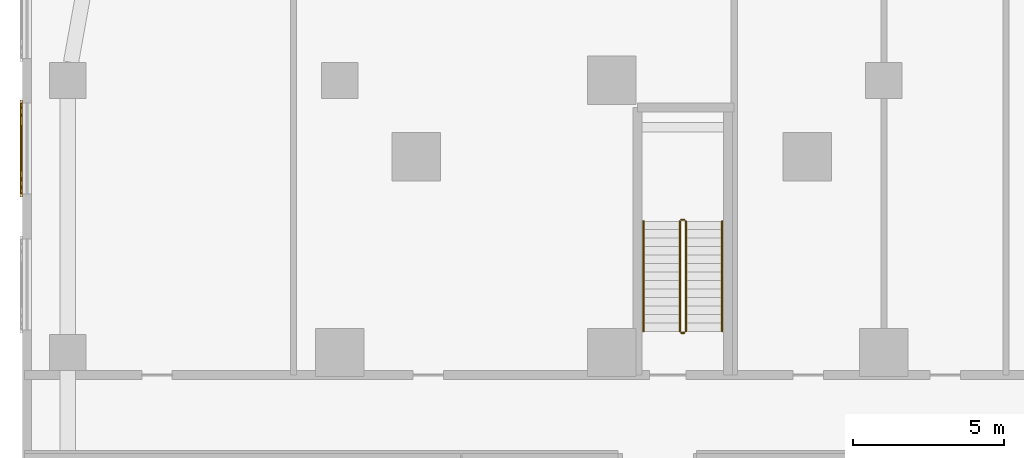
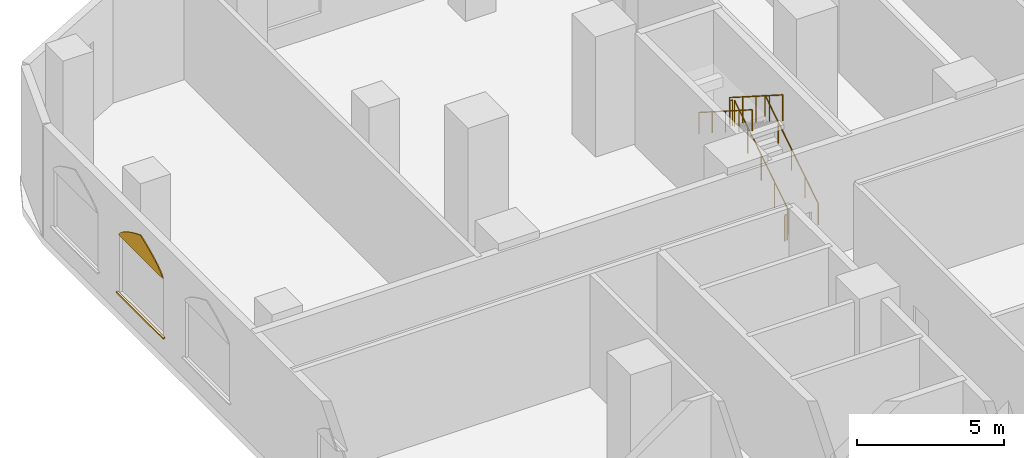
# One storey, part 24 of 31: 6 railings, 2 coverings.
"""IFC4 building model written with IfcOpenShell, lengths in metres."""

from ifc_helpers import new_model, si_unit, direction, frame, origin, origin_2d, place, context, subcontext, project, spatial, polyline, rectangle, circle, outline, extrude, material, layer, layer_set, type_object, element, save


model = new_model("IFC4")

# Units and contexts
model_context = context("Model", 3, precision=1e-05, world=origin(), true_north=direction((0.0, 1.0)))
body_context = subcontext(model_context, "Body", "Model", "MODEL_VIEW")
ifc_project = project(units=[si_unit("LENGTHUNIT", "METRE"), si_unit("AREAUNIT", "SQUARE_METRE"), si_unit("VOLUMEUNIT", "CUBIC_METRE"), si_unit("PLANEANGLEUNIT", "RADIAN"), si_unit("MASSUNIT", "GRAM", prefix="KILO")], contexts=[model_context])

# Site, building, storey
site_placement = place(None, origin())
site = spatial("IfcSite", under=ifc_project, at=site_placement, CompositionType="ELEMENT")
building_placement = place(site_placement, origin())
building = spatial("IfcBuilding", under=site, at=building_placement, Name="Ogive Portal Towers", CompositionType="ELEMENT")
storey_placement = place(building_placement, frame((0.0, 0.0, 13.5)))
storey = spatial("IfcBuildingStorey", under=building, at=storey_placement, Name="L02", CompositionType="ELEMENT", Elevation=13.5)

# Railings
ifc_material_1 = material(Name="Stainless steel balustrade", Category="steel")
railing_type_1 = type_object("IfcRailingType", Name="INT-GUARD", PredefinedType="GUARDRAIL", material=ifc_material_1)
railing_1_placement = place(storey_placement, frame((42.949951171875, 67.199951171875, 0.178466796875)))
element("IfcRailing", 1, at=railing_1_placement, inside=storey, type_object=railing_type_1, Name="L02 ST-A3 stair guard 1", PredefinedType="GUARDRAIL", context=body_context, shape_type="SweptSolid", body=[
    extrude(circle(Radius=0.02392578125, at=origin_2d()), frame((0.0, 0.0, 1.076171875), z_axis=(0.0, 0.843127859045, 0.537713132908), x_axis=(-1.0, 0.0, 0.0)), (0.0, 0.0, 1.0), 4.3173828125),
    extrude(circle(Radius=0.02099609375, at=origin_2d()), origin(), (0.0, 0.0, 1.0), 1.052001953125),
    extrude(circle(Radius=0.02099609375, at=origin_2d()), frame((0.0, 0.91015625, 0.580322265625)), (0.0, 0.0, 1.0), 1.052001953125),
    extrude(circle(Radius=0.02099609375, at=origin_2d()), frame((0.0, 1.820068359375, 1.16064453125)), (0.0, 0.0, 1.0), 1.052001953125),
    extrude(circle(Radius=0.02099609375, at=origin_2d()), frame((0.0, 2.72998046875, 1.7412109375)), (0.0, 0.0, 1.0), 1.052001953125),
    extrude(circle(Radius=0.02099609375, at=origin_2d()), frame((0.0, 3.64013671875, 2.321533203125)), (0.0, 0.0, 1.0), 1.052001953125),
])
railing_2_placement = place(storey_placement, frame((42.89990234375, 70.889892578125, 2.5)))
element("IfcRailing", 2, at=railing_2_placement, inside=storey, type_object=railing_type_1, Name="L02 ST-A3 stair guard 2", PredefinedType="GUARDRAIL", context=body_context, shape_type="SweptSolid", body=[
    extrude(circle(Radius=0.02392578125, at=origin_2d()), frame((0.0, 0.0, 1.076171875), z_axis=(-1.0, 0.0, 0.0), x_axis=(0.0, -1.0, 0.0)), (0.0, 0.0, 1.0), 0.099853515625),
    extrude(circle(Radius=0.02099609375, at=origin_2d()), origin(), (0.0, 0.0, 1.0), 1.052001953125),
    extrude(circle(Radius=0.02099609375, at=origin_2d()), frame((-0.099853515625, 0.0, 0.0)), (0.0, 0.0, 1.0), 1.052001953125),
])
railing_3_placement = place(storey_placement, frame((42.75, 70.840087890625, 2.678466796875)))
element("IfcRailing", 3, at=railing_3_placement, inside=storey, type_object=railing_type_1, Name="L02 ST-A3 stair guard 3", PredefinedType="GUARDRAIL", context=body_context, shape_type="SweptSolid", body=[
    extrude(circle(Radius=0.02392578125, at=origin_2d()), frame((0.0, 0.0, 1.076171875), z_axis=(0.0, -0.843127859045, 0.537713132908), x_axis=(1.0, 0.0, 0.0)), (0.0, 0.0, 1.0), 4.3173828125),
    extrude(circle(Radius=0.02099609375, at=origin_2d()), origin(), (0.0, 0.0, 1.0), 1.052001953125),
    extrude(circle(Radius=0.02099609375, at=origin_2d()), frame((0.0, -0.91015625, 0.580322265625)), (0.0, 0.0, 1.0), 1.052001953125),
    extrude(circle(Radius=0.02099609375, at=origin_2d()), frame((0.0, -1.820068359375, 1.16064453125)), (0.0, 0.0, 1.0), 1.052001953125),
    extrude(circle(Radius=0.02099609375, at=origin_2d()), frame((0.0, -2.72998046875, 1.7412109375)), (0.0, 0.0, 1.0), 1.052001953125),
    extrude(circle(Radius=0.02099609375, at=origin_2d()), frame((0.0, -3.64013671875, 2.321533203125)), (0.0, 0.0, 1.0), 1.052001953125),
])
railing_4_placement = place(storey_placement, frame((42.89990234375, 67.14990234375, 0.0)))
element("IfcRailing", 4, at=railing_4_placement, inside=storey, type_object=railing_type_1, Name="L02 ST-A3 stair guard 4", PredefinedType="GUARDRAIL", context=body_context, shape_type="SweptSolid", body=[
    extrude(circle(Radius=0.02392578125, at=origin_2d()), frame((0.0, 0.0, 1.076171875), z_axis=(-1.0, 0.0, 0.0), x_axis=(0.0, -1.0, 0.0)), (0.0, 0.0, 1.0), 0.099853515625),
    extrude(circle(Radius=0.02099609375, at=origin_2d()), origin(), (0.0, 0.0, 1.0), 1.052001953125),
    extrude(circle(Radius=0.02099609375, at=origin_2d()), frame((-0.099853515625, 0.0, 0.0)), (0.0, 0.0, 1.0), 1.052001953125),
])
ifc_material_2 = material(Name="Stainless steel handrail", Category="steel")
railing_type_2 = type_object("IfcRailingType", Name="INT-HANDRAIL", PredefinedType="HANDRAIL", material=ifc_material_2)
railing_5_placement = place(storey_placement, frame((44.14990234375, 67.199951171875, 0.178466796875)))
element("IfcRailing", 5, at=railing_5_placement, inside=storey, type_object=railing_type_2, Name="L02 ST-A3 stair handrail 1", PredefinedType="HANDRAIL", context=body_context, shape_type="SweptSolid", body=[
    extrude(circle(Radius=0.02392578125, at=origin_2d()), frame((0.0, 0.0, 0.8759765625), z_axis=(0.0, 0.843127859045, 0.537713132908), x_axis=(-1.0, 0.0, 0.0)), (0.0, 0.0, 1.0), 4.3173828125),
    extrude(circle(Radius=0.02099609375, at=origin_2d()), origin(), (0.0, 0.0, 1.0), 0.851806640625),
    extrude(circle(Radius=0.02099609375, at=origin_2d()), frame((0.0, 0.91015625, 0.580322265625)), (0.0, 0.0, 1.0), 0.851806640625),
    extrude(circle(Radius=0.02099609375, at=origin_2d()), frame((0.0, 1.820068359375, 1.16064453125)), (0.0, 0.0, 1.0), 0.851806640625),
    extrude(circle(Radius=0.02099609375, at=origin_2d()), frame((0.0, 2.72998046875, 1.7412109375)), (0.0, 0.0, 1.0), 0.851806640625),
    extrude(circle(Radius=0.02099609375, at=origin_2d()), frame((0.0, 3.64013671875, 2.321533203125)), (0.0, 0.0, 1.0), 0.851806640625),
])
railing_6_placement = place(storey_placement, frame((41.550048828125, 70.840087890625, 2.678466796875)))
element("IfcRailing", 6, at=railing_6_placement, inside=storey, type_object=railing_type_2, Name="L02 ST-A3 stair handrail 2", PredefinedType="HANDRAIL", context=body_context, shape_type="SweptSolid", body=[
    extrude(circle(Radius=0.02392578125, at=origin_2d()), frame((0.0, 0.0, 0.8759765625), z_axis=(0.0, -0.843127859045, 0.537713132908), x_axis=(1.0, 0.0, 0.0)), (0.0, 0.0, 1.0), 4.3173828125),
    extrude(circle(Radius=0.02099609375, at=origin_2d()), origin(), (0.0, 0.0, 1.0), 0.851806640625),
    extrude(circle(Radius=0.02099609375, at=origin_2d()), frame((0.0, -0.91015625, 0.580322265625)), (0.0, 0.0, 1.0), 0.851806640625),
    extrude(circle(Radius=0.02099609375, at=origin_2d()), frame((0.0, -1.820068359375, 1.16064453125)), (0.0, 0.0, 1.0), 0.851806640625),
    extrude(circle(Radius=0.02099609375, at=origin_2d()), frame((0.0, -2.72998046875, 1.7412109375)), (0.0, 0.0, 1.0), 0.851806640625),
    extrude(circle(Radius=0.02099609375, at=origin_2d()), frame((0.0, -3.64013671875, 2.321533203125)), (0.0, 0.0, 1.0), 0.851806640625),
])

# Coverings
ifc_material_3 = material(Name="Limestone cladding on lightweight block wall", Category="masonry")
ifc_layer_1 = layer(ifc_material_3, 0.0400390625)
ifc_layer_set_1 = layer_set([ifc_layer_1], Name="LANCET HEAD STONE")
covering_type_1 = type_object("IfcCoveringType", Name="LANCET HEAD STONE", PredefinedType="CLADDING", material=ifc_layer_set_1)
covering_1_placement = place(storey_placement, frame((21.0, 74.75, 3.300048828125), z_axis=(0.999950056531, 0.0, 0.009994220538), x_axis=(0.0, -1.0, 0.0)))
element("IfcCovering", 7, at=covering_1_placement, inside=storey, type_object=covering_type_1, Name="Lancet head", PredefinedType="CLADDING", context=body_context, shape_type="SweptSolid", body=[
    extrude(outline(polyline([(0.0, 0.0), (3.0, 0.0), (2.93359375, -0.11255540702230543), (2.8125, -0.22486424561759202), (2.655517578125, -0.3374196526398974), (2.4697265625, -0.4499726196669543), (2.2587890625, -0.5625280266892596), (2.025634765625, -0.6750834337115651), (1.772216796875, -0.7873922723068517), (1.5, -0.8999476793291572), (1.227783203125, -0.7873922723068517), (0.974365234375, -0.6750834337115651), (0.7412109375, -0.5625280266892596), (0.5302734375, -0.4499726196669543), (0.344482421875, -0.3374196526398974), (0.1875, -0.22486424561759202), (0.06640625, -0.11255540702230543), (0.0, 0.0)])), origin(), (0.0, 0.0, -1.0), 0.0400390625),
])
ifc_layer_2 = layer(ifc_material_3, 0.080078125)
ifc_layer_set_2 = layer_set([ifc_layer_2], Name="STONE SILL 80")
covering_type_2 = type_object("IfcCoveringType", Name="STONE SILL 80", PredefinedType="CLADDING", material=ifc_layer_set_2)
covering_2_placement = place(storey_placement, frame((20.9599609375, 73.25, 0.840087890625), z_axis=(0.0, 0.0, 1.0), x_axis=(0.0, -1.0, 0.0)))
element("IfcCovering", 8, at=covering_2_placement, inside=storey, type_object=covering_type_2, Name="Stone sill", PredefinedType="CLADDING", context=body_context, shape_type="SweptSolid", body=[
    extrude(rectangle(XDim=3.199951171875, YDim=0.080078125, at=origin_2d()), origin(), (0.0, 0.0, 1.0), 0.06005859375),
])

save(model, "model.ifc")
